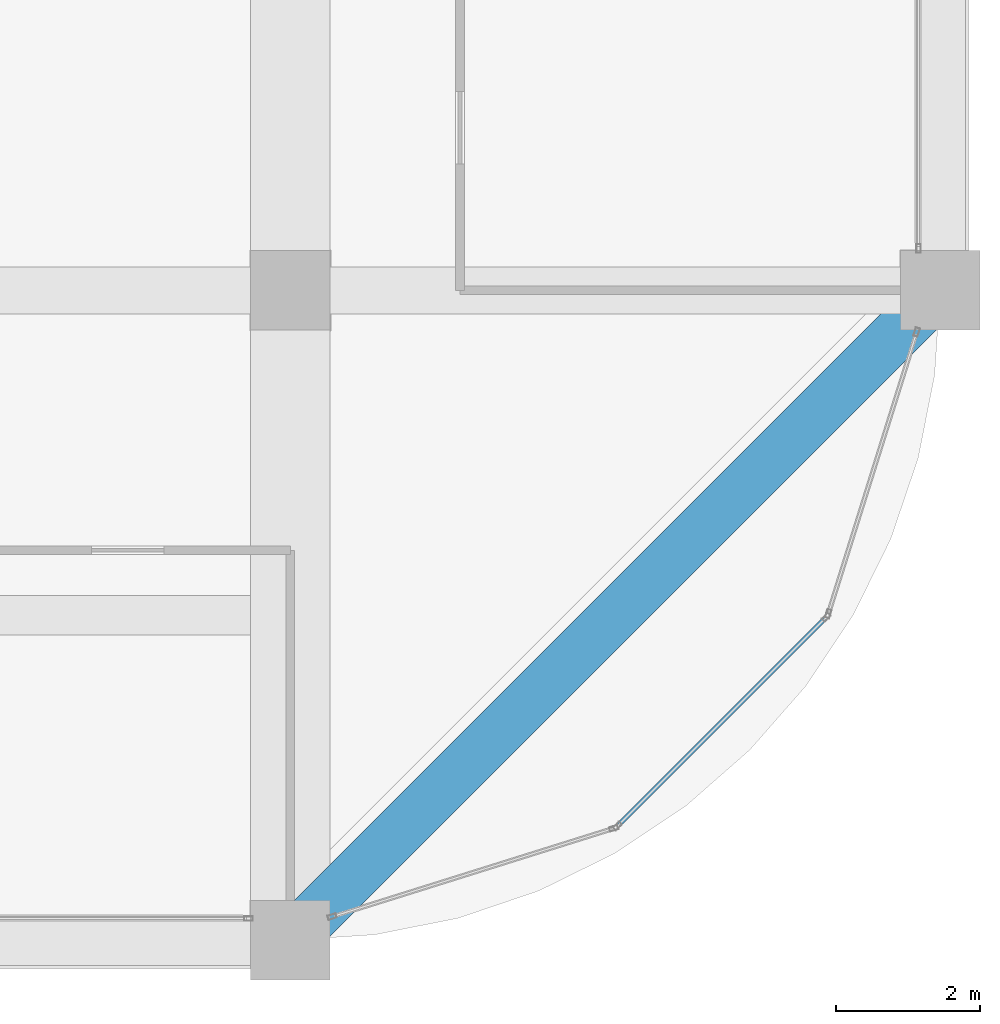
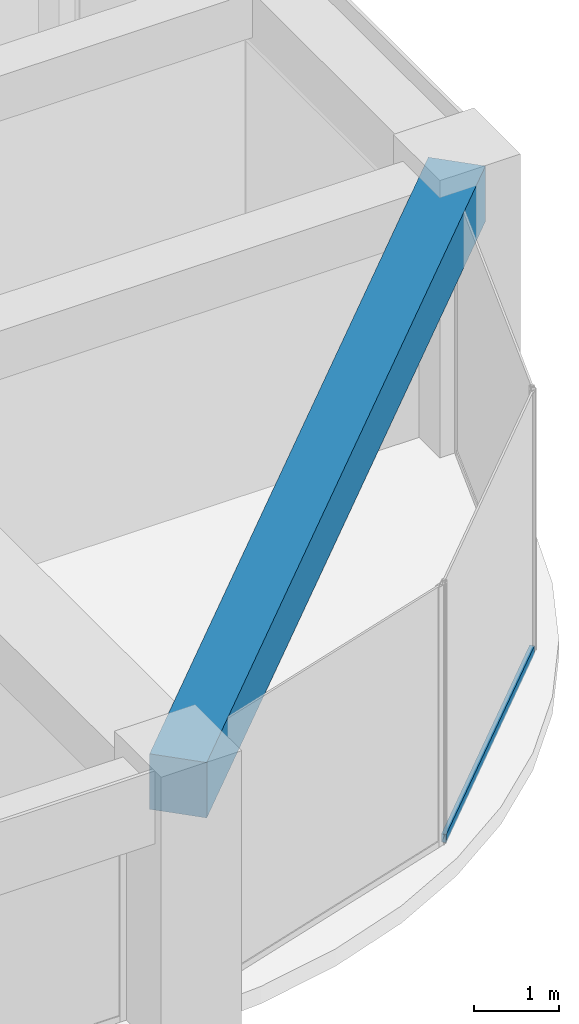
# One storey, part 19 of 44: 1 beam, 1 member, 1 element without a shape of its own.
"""IFC4 building model written with IfcOpenShell, lengths in metres."""

from ifc_helpers import new_model, si_unit, direction, frame, origin, origin_2d, place, context, subcontext, project, spatial, rectangle, hollow_rectangle, extrude, material, material_profile, profile_set, type_object, element, aggregate, save


model = new_model("IFC4")

# Units and contexts
model_context = context("Model", 3, precision=1e-05, world=origin(), true_north=direction((0.0, 1.0)))
body_context = subcontext(model_context, "Body", "Model", "MODEL_VIEW")
ifc_project = project(units=[si_unit("LENGTHUNIT", "METRE"), si_unit("AREAUNIT", "SQUARE_METRE"), si_unit("VOLUMEUNIT", "CUBIC_METRE"), si_unit("PLANEANGLEUNIT", "RADIAN"), si_unit("MASSUNIT", "GRAM", prefix="KILO")], contexts=[model_context])

# Site, building, storey
site_placement = place(None, origin())
site = spatial("IfcSite", under=ifc_project, at=site_placement, CompositionType="ELEMENT")
building_placement = place(site_placement, origin())
building = spatial("IfcBuilding", under=site, at=building_placement, Name="Zorevar Civic Tower", CompositionType="ELEMENT")
storey_placement = place(building_placement, frame((0.0, 0.0, 259.39990234375)))
storey = spatial("IfcBuildingStorey", under=building, at=storey_placement, Name="L63", CompositionType="ELEMENT", Elevation=259.39990234375)

# Curtain wall, member
ifc_material_1 = material(Name="Dark grey solar-control glass in black aluminium frame", Category="aluminium")
curtain_wall_type = type_object("IfcCurtainWallType", Name="Curtain wall CW5 top zone", PredefinedType="NOTDEFINED", material=ifc_material_1)
curtain_wall_placement = place(storey_placement, origin())
curtain_wall = element("IfcCurtainWall", 1, at=curtain_wall_placement, inside=storey, type_object=curtain_wall_type, Name="CW5 L63", PredefinedType="NOTDEFINED")
ifc_material_2 = material(Name="Aluminium, black anodised", Category="aluminium")
ifc_material_profile_1 = material_profile(ifc_material_2, hollow_rectangle(XDim=0.06005859375, YDim=0.1201171875, WallThickness=0.0029296875, at=origin_2d()), Name="AL 120x60x3")
ifc_profile_set_1 = profile_set([ifc_material_profile_1], Name="Aluminium, black anodised")
member_type = type_object("IfcMemberType", Name="CW5 transom AL 120x60x3", PredefinedType="USERDEFINED", material=ifc_profile_set_1)
member_placement = place(storey_placement, frame((49.55029296875, 1.6015625, 0.030029296875), z_axis=(0.707106781187, 0.707106781187, 0.0), x_axis=(-0.707106781187, 0.707106781187, 0.0)))
member = element("IfcMember", 2, at=member_placement, type_object=member_type, Name="CW5 sill transom", ObjectType="TRANSOM", PredefinedType="USERDEFINED", context=body_context, shape_type="SweptSolid", body=[
    extrude(hollow_rectangle(XDim=0.06005859375, YDim=0.1201171875, WallThickness=0.0029296875, at=origin_2d()), origin(), (0.0, 0.0, 1.0), 4.02783203125),
])
aggregate(curtain_wall, [member])

# Beam
ifc_material_3 = material(Name="Concrete C50/60", Category="concrete")
ifc_material_profile_2 = material_profile(ifc_material_3, rectangle(XDim=0.699951171875, YDim=0.800048828125, at=origin_2d()), Name="RC 700x800")
ifc_profile_set_2 = profile_set([ifc_material_profile_2], Name="Concrete C50/60")
beam_type = type_object("IfcBeamType", Name="Edge beam RC 700x800", PredefinedType="SPANDREL", material=ifc_profile_set_2)
beam_placement = place(storey_placement, frame((45.0, 0.0, 3.35009765625), z_axis=(0.707106781187, 0.707106781187, 0.0), x_axis=(-0.707106781187, 0.707106781187, 0.0)))
element("IfcBeam", 3, at=beam_placement, inside=storey, type_object=beam_type, Name="Corner edge beam L64", PredefinedType="SPANDREL", context=body_context, shape_type="SweptSolid", body=[
    extrude(rectangle(XDim=0.699951171875, YDim=0.800048828125, at=origin_2d()), origin(), (0.0, 0.0, 1.0), 12.72802734375),
])

save(model, "model.ifc")
